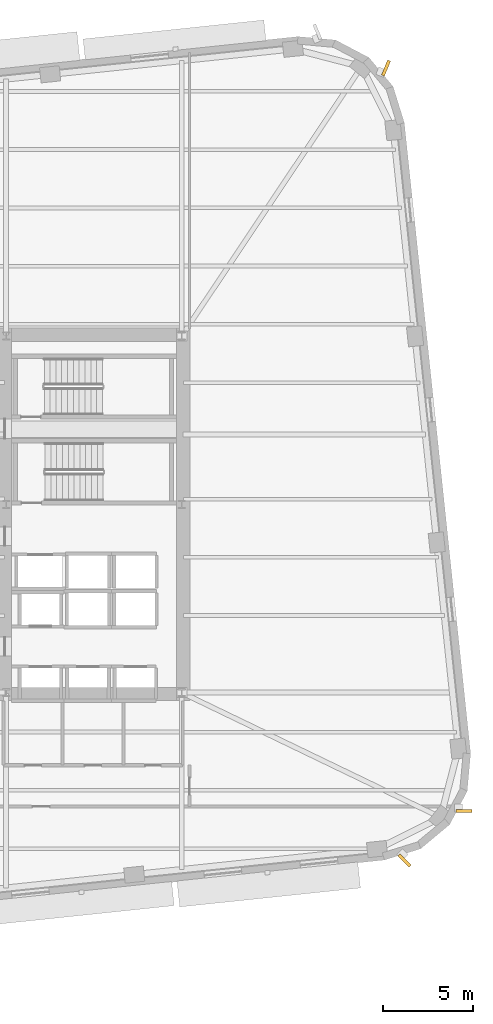
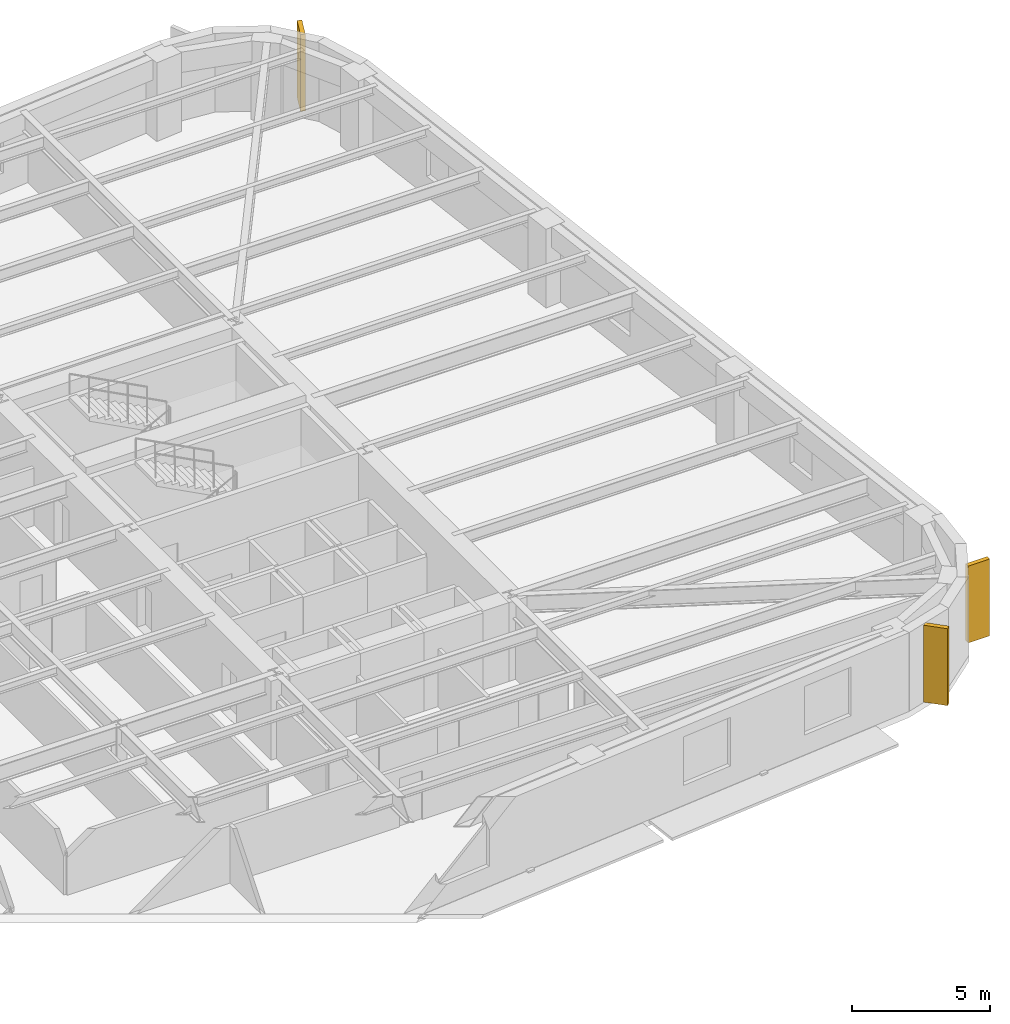
# One storey, part 15 of 15: 3 shading devices.
"""IFC4 building model written with IfcOpenShell, lengths in metres."""

import ifcopenshell
import ifcopenshell.guid

model = None  # the IFC model being written
_history = None  # IfcOwnerHistory: only IFC2X3 demands one
_inside = {}  # id of a spatial element -> (the spatial element, [elements in it])
_under = {}  # id of a project, library or spatial element -> (it, [spatial elements below it])
_declared = {}  # id of a project -> (the project, [libraries it declares])
_typed = {}  # id of a type object -> (the type object, [elements of that type])
_made_of = {}  # id of a material, layer set ... -> (it, [elements and type objects made of it])


def new_model(schema):
    """Start an empty IFC model of exactly this schema.

    Asked for "IFC4X3", IfcOpenShell would pick the latest addendum, in which some entities
    have other attributes; the version numbers below select the first issue.
    IFC2X3 requires an IfcOwnerHistory on every rooted entity: one is made here for all.
    """
    global model, _history
    if schema == "IFC4X3":
        model = ifcopenshell.file(schema_version=(4, 3, 0, 0))
    else:
        model = ifcopenshell.file(schema=schema)
    _inside.clear()
    _under.clear()
    _declared.clear()
    _typed.clear()
    _made_of.clear()
    _history = None
    if model.schema == "IFC2X3":
        org = make("IfcOrganization", Name="unknown")
        user = make(
            "IfcPersonAndOrganization",
            ThePerson=make("IfcPerson", FamilyName="unknown"),
            TheOrganization=org,
        )
        app = make(
            "IfcApplication",
            ApplicationDeveloper=org,
            Version="unknown",
            ApplicationFullName="unknown",
            ApplicationIdentifier="unknown",
        )
        _history = make(
            "IfcOwnerHistory",
            OwningUser=user,
            OwningApplication=app,
            ChangeAction="ADDED",
            CreationDate=0,
        )
    return model


def make(cls, **values):
    """One entity of the class cls with the attributes given. An attribute that is None is left unset."""
    return model.create_entity(
        cls, **{name: value for name, value in values.items() if value is not None}
    )


def rooted(cls, **values):
    """An entity with a GlobalId (a new one), such as an element, a storey or a relation."""
    return make(cls, GlobalId=ifcopenshell.guid.new(), OwnerHistory=_history, **values)


def si_unit(unit_type, name, prefix=None):
    """IfcSIUnit, for example si_unit("LENGTHUNIT", "METRE", prefix="MILLI")."""
    return make("IfcSIUnit", UnitType=unit_type, Prefix=prefix, Name=name)


def assignment(units):
    """IfcUnitAssignment: the units of a project."""
    return None if units is None else make("IfcUnitAssignment", Units=units)


def point(xyz):
    """IfcCartesianPoint."""
    return None if xyz is None else make("IfcCartesianPoint", Coordinates=xyz)


def direction(xyz):
    """IfcDirection."""
    return None if xyz is None else make("IfcDirection", DirectionRatios=xyz)


def frame(location, z_axis=None, x_axis=None):
    """IfcAxis2Placement3D, a coordinate frame: its origin and axes. An axis left out is left unset."""
    return make(
        "IfcAxis2Placement3D",
        Location=point(location),
        Axis=direction(z_axis),
        RefDirection=direction(x_axis),
    )


def frame_2d(location, x_axis=None):
    """IfcAxis2Placement2D, a coordinate frame in the plane: its origin and x axis."""
    return make(
        "IfcAxis2Placement2D", Location=point(location), RefDirection=direction(x_axis)
    )


def origin():
    """The frame at (0, 0, 0) with its axes left unset."""
    return frame((0.0, 0.0, 0.0))


def origin_2d():
    """The frame at (0, 0) in the plane with its x axis left unset."""
    return frame_2d((0.0, 0.0))


def place(relative_to, where):
    """IfcLocalPlacement: puts the frame where relative to a parent placement (None: the world)."""
    return make(
        "IfcLocalPlacement", PlacementRelTo=relative_to, RelativePlacement=where
    )


def context(
    kind, dimensions, precision=None, world=None, true_north=None, identifier=None
):
    """IfcGeometricRepresentationContext, for example the 3D "Model" context."""
    return make(
        "IfcGeometricRepresentationContext",
        ContextIdentifier=identifier,
        ContextType=kind,
        CoordinateSpaceDimension=dimensions,
        Precision=precision,
        WorldCoordinateSystem=world,
        TrueNorth=true_north,
    )


def subcontext(parent, identifier, kind, view, scale=None):
    """IfcGeometricRepresentationSubContext, for example "Body" below "Model"."""
    return make(
        "IfcGeometricRepresentationSubContext",
        ContextIdentifier=identifier,
        ContextType=kind,
        ParentContext=parent,
        TargetScale=scale,
        TargetView=view,
    )


def project(units=None, contexts=None):
    """IfcProject with its units and contexts."""
    return rooted(
        "IfcProject",
        Name="project",
        RepresentationContexts=contexts,
        UnitsInContext=assignment(units),
    )


def spatial(cls, under=None, at=None, **own):
    """A site, building, storey or space (cls), placed at a placement, below another one or the project."""
    s = rooted(cls, ObjectPlacement=at, **own)
    if under is not None:
        _under.setdefault(under.id(), (under, []))[1].append(s)
    return s


def profile(cls, at=None, kind="AREA", **sizes):
    """A parametric profile (cls). Its sizes go by their IFC names, for example OverallWidth=200.0."""
    return make(cls, ProfileType=kind, Position=at, **sizes)


def rectangle(**sizes):
    """IfcRectangleProfileDef."""
    return profile("IfcRectangleProfileDef", **sizes)


def extrude(swept, where, along, depth):
    """IfcExtrudedAreaSolid: the profile swept, set in the frame where, extruded along a direction by depth."""
    return make(
        "IfcExtrudedAreaSolid",
        SweptArea=swept,
        Position=where,
        ExtrudedDirection=direction(along),
        Depth=depth,
    )


def shape(context_of_items, identifier, shape_type, items):
    """IfcShapeRepresentation: the items that make up one representation, for example the "Body"."""
    return make(
        "IfcShapeRepresentation",
        ContextOfItems=context_of_items,
        RepresentationIdentifier=identifier,
        RepresentationType=shape_type,
        Items=items,
    )


def material(Name=None, Category=None):
    """IfcMaterial."""
    return make("IfcMaterial", Name=Name, Category=Category)


def made_of(thing, what):
    """Note that an element or type object is made of a material, layer set ...; save() writes the relation."""
    if what is not None:
        _made_of.setdefault(what.id(), (what, []))[1].append(thing)
    return thing


def type_object(cls, material=None, **own):
    """A type object (cls), such as IfcWallType, which elements share."""
    return made_of(rooted(cls, **own), material)


def element(
    cls,
    number,
    at=None,
    inside=None,
    cuts=None,
    type_object=None,
    material=None,
    context=None,
    identifier="Body",
    shape_type=None,
    held_by="IfcProductDefinitionShape",
    body=None,
    shapes=None,
    **own,
):
    """One element of the class cls, such as IfcWall. Its Tag is "e" and its number.

    at: its placement. inside: the storey or other place that contains it. cuts: it is an
    opening in that element (IfcRelVoidsElement). A single representation is given by context,
    identifier, shape_type and body (its items); several are given by shapes. held_by: the class
    of the entity that holds the representations. save() writes the other relations.
    """
    e = rooted(cls, Tag="e%d" % number, ObjectPlacement=at, **own)
    if body is not None:
        shapes = [shape(context, identifier, shape_type, body)]
    if shapes is not None:
        e.Representation = make(held_by, Representations=shapes)
    if inside is not None:
        _inside.setdefault(inside.id(), (inside, []))[1].append(e)
    if cuts is not None:
        rooted(
            "IfcRelVoidsElement", RelatingBuildingElement=cuts, RelatedOpeningElement=e
        )
    if type_object is not None:
        _typed.setdefault(type_object.id(), (type_object, []))[1].append(e)
    return made_of(e, material)


def aggregate(whole, parts):
    """IfcRelAggregates: a whole, such as a stair, and the parts it consists of."""
    return rooted("IfcRelAggregates", RelatingObject=whole, RelatedObjects=parts)


def save(model, path):
    """Write the relations noted so far, then the file.

    IfcRelAggregates (storeys below a building ...), IfcRelContainedInSpatialStructure (elements
    in a storey), IfcRelDefinesByType, IfcRelAssociatesMaterial and IfcRelDeclares: one each for
    every whole, place, type object, material and project.
    """
    for whole, parts in _under.values():
        aggregate(whole, parts)
    for where, things in _inside.values():
        rooted(
            "IfcRelContainedInSpatialStructure",
            RelatedElements=things,
            RelatingStructure=where,
        )
    for kind, things in _typed.values():
        rooted("IfcRelDefinesByType", RelatedObjects=things, RelatingType=kind)
    for what, things in _made_of.values():
        rooted("IfcRelAssociatesMaterial", RelatedObjects=things, RelatingMaterial=what)
    for by, libraries in _declared.values():
        rooted("IfcRelDeclares", RelatingContext=by, RelatedDefinitions=libraries)
    model.write(path)


model = new_model("IFC4")

# Units and contexts
model_context = context("Model", 3, precision=1e-05, world=origin(), true_north=direction((0.0, 1.0)))
body_context = subcontext(model_context, "Body", "Model", "MODEL_VIEW")
ifc_project = project(units=[si_unit("LENGTHUNIT", "METRE"), si_unit("AREAUNIT", "SQUARE_METRE"), si_unit("VOLUMEUNIT", "CUBIC_METRE"), si_unit("PLANEANGLEUNIT", "RADIAN"), si_unit("MASSUNIT", "GRAM", prefix="KILO")], contexts=[model_context])

# Site, building, storey
site_placement = place(None, origin())
site = spatial("IfcSite", under=ifc_project, at=site_placement, CompositionType="ELEMENT")
building_placement = place(site_placement, origin())
building = spatial("IfcBuilding", under=site, at=building_placement, Name="Kolvaren Arena Tower", CompositionType="ELEMENT")
storey_placement = place(building_placement, frame((0.0, 0.0, 107.199951171875)))
storey = spatial("IfcBuildingStorey", under=building, at=storey_placement, Name="L24", CompositionType="ELEMENT", Elevation=107.199951171875)

# Shading devices
ifc_material = material(Name="Precast architectural concrete C50/60 rib fin", Category="concrete")
shading_device_type = type_object("IfcShadingDeviceType", Name="SHAD-FIN-28", PredefinedType="USERDEFINED", material=ifc_material)
for number, where, z_axis, x_axis, name in (
    (1, (72.7763671875, 10.080078125, 0.02001953125), (0.0, 0.0, 1.0), (0.710184146885, -0.704015963962, 0.0), "Precast 28-Deg Corner Rib Fin (L24)"),
    (2, (76.1044921875, 12.848388671875, 0.02001953125), (0.0, 0.0, 1.0), (0.999990541547, 0.004349346783, 0.0), "Precast 28-Deg Corner Rib Fin (L24)"),
    (3, (71.747314453125, 54.304931640625, 0.02001953125), (0.0, 0.0, 1.0), (0.378634078949, 0.925546451702, 0.0), "Precast 28-Deg Corner Rib Fin (L24)"),
):
    element("IfcShadingDevice", number, at=place(storey_placement, frame(where, z_axis=z_axis, x_axis=x_axis)), inside=storey, type_object=shading_device_type, Name=name, ObjectType="FIN", PredefinedType="USERDEFINED", context=body_context, shape_type="SweptSolid", body=[
        extrude(rectangle(XDim=0.89990234375, YDim=0.179931640625, at=origin_2d()), origin(), (0.0, 0.0, 1.0), 3.39990234375),
    ])

save(model, "model.ifc")
